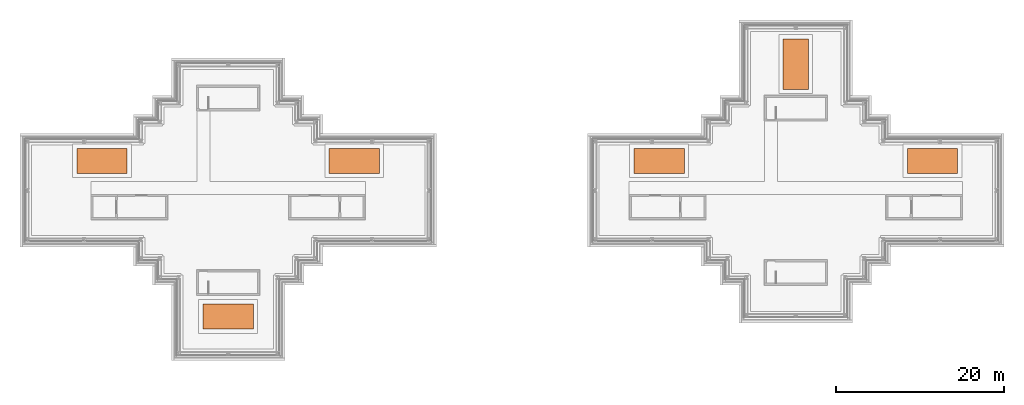
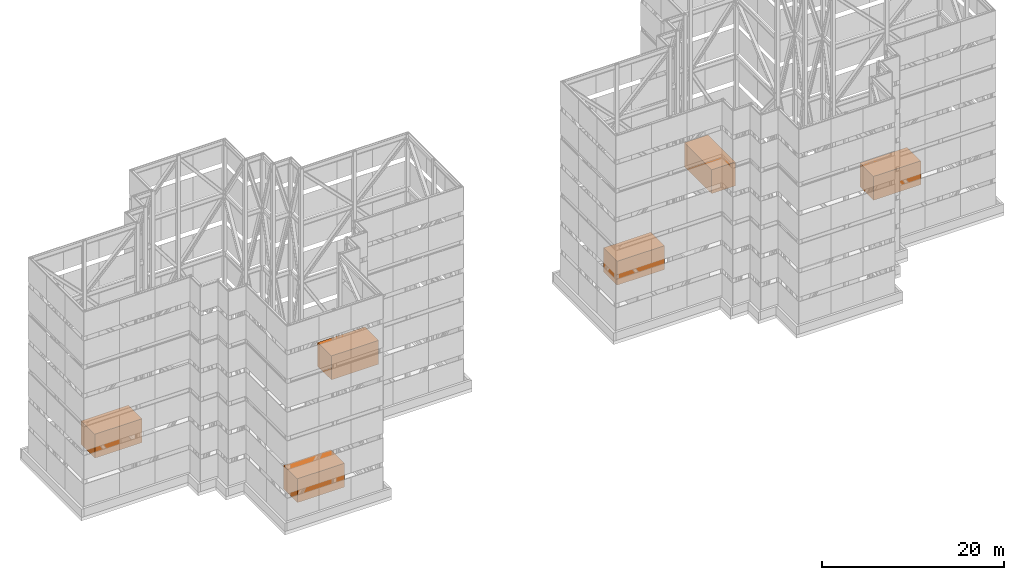
# One storey, part 19 of 19: 6 proxies.
"""IFC4 building model written with IfcOpenShell, lengths in metres."""

from ifc_helpers import new_model, si_unit, direction, frame, origin, origin_2d, place, context, subcontext, project, spatial, rectangle, extrude, material, type_object, element, save


model = new_model("IFC4")

# Units and contexts
model_context = context("Model", 3, precision=1e-05, world=origin(), true_north=direction((0.0, 1.0)))
body_context = subcontext(model_context, "Body", "Model", "MODEL_VIEW")
ifc_project = project(units=[si_unit("LENGTHUNIT", "METRE"), si_unit("AREAUNIT", "SQUARE_METRE"), si_unit("VOLUMEUNIT", "CUBIC_METRE"), si_unit("PLANEANGLEUNIT", "RADIAN"), si_unit("MASSUNIT", "GRAM", prefix="KILO")], contexts=[model_context])

# Site, building, storey
site_placement = place(None, origin())
site = spatial("IfcSite", under=ifc_project, at=site_placement, CompositionType="ELEMENT")
building_placement = place(site_placement, origin())
building = spatial("IfcBuilding", under=site, at=building_placement, Name="Shamsa Quay Exchange Towers", CompositionType="ELEMENT")
storey_placement = place(building_placement, frame((0.0, 0.0, 284.300048828125)))
storey = spatial("IfcBuildingStorey", under=building, at=storey_placement, Name="Roof", CompositionType="ELEMENT", Elevation=284.300048828125)

# Proxies
ifc_material = material(Name="Steel S355", Category="steel")
building_element_proxy_type = type_object("IfcBuildingElementProxyType", Name="Cooling tower unit", PredefinedType="USERDEFINED", material=ifc_material)
for number, where, name in (
    (1, (-18.75, 3.5, 0.2998046875), "Cooling tower T1 CT1"),
    (2, (-48.75, 3.5, 0.2998046875), "Cooling tower T1 CT2"),
    (3, (-33.75, -15.0, 0.2998046875), "Cooling tower T1 CT3"),
):
    element("IfcBuildingElementProxy", number, at=place(storey_placement, frame(where)), inside=storey, type_object=building_element_proxy_type, Name=name, ObjectType="COOLING TOWER", PredefinedType="USERDEFINED", context=body_context, shape_type="SweptSolid", body=[
        extrude(rectangle(XDim=6.0, YDim=3.0, at=origin_2d()), origin(), (0.0, 0.0, 1.0), 3.199951171875),
    ])
proxy_placement = place(storey_placement, frame((33.75, 15.0, 0.2998046875), z_axis=(0.0, 0.0, 1.0), x_axis=(0.0, 1.0, 0.0)))
element("IfcBuildingElementProxy", 4, at=proxy_placement, inside=storey, type_object=building_element_proxy_type, Name="Cooling tower T2 CT1", ObjectType="COOLING TOWER", PredefinedType="USERDEFINED", context=body_context, shape_type="SweptSolid", body=[
    extrude(rectangle(XDim=6.0, YDim=3.0, at=origin_2d()), origin(), (0.0, 0.0, 1.0), 3.199951171875),
])
for number, where, name in (
    (5, (17.5, 3.5, 0.2998046875), "Cooling tower T2 CT2"),
    (6, (50.0, 3.5, 0.2998046875), "Cooling tower T2 CT3"),
):
    element("IfcBuildingElementProxy", number, at=place(storey_placement, frame(where)), inside=storey, type_object=building_element_proxy_type, Name=name, ObjectType="COOLING TOWER", PredefinedType="USERDEFINED", context=body_context, shape_type="SweptSolid", body=[
        extrude(rectangle(XDim=6.0, YDim=3.0, at=origin_2d()), origin(), (0.0, 0.0, 1.0), 3.199951171875),
    ])

save(model, "model.ifc")
